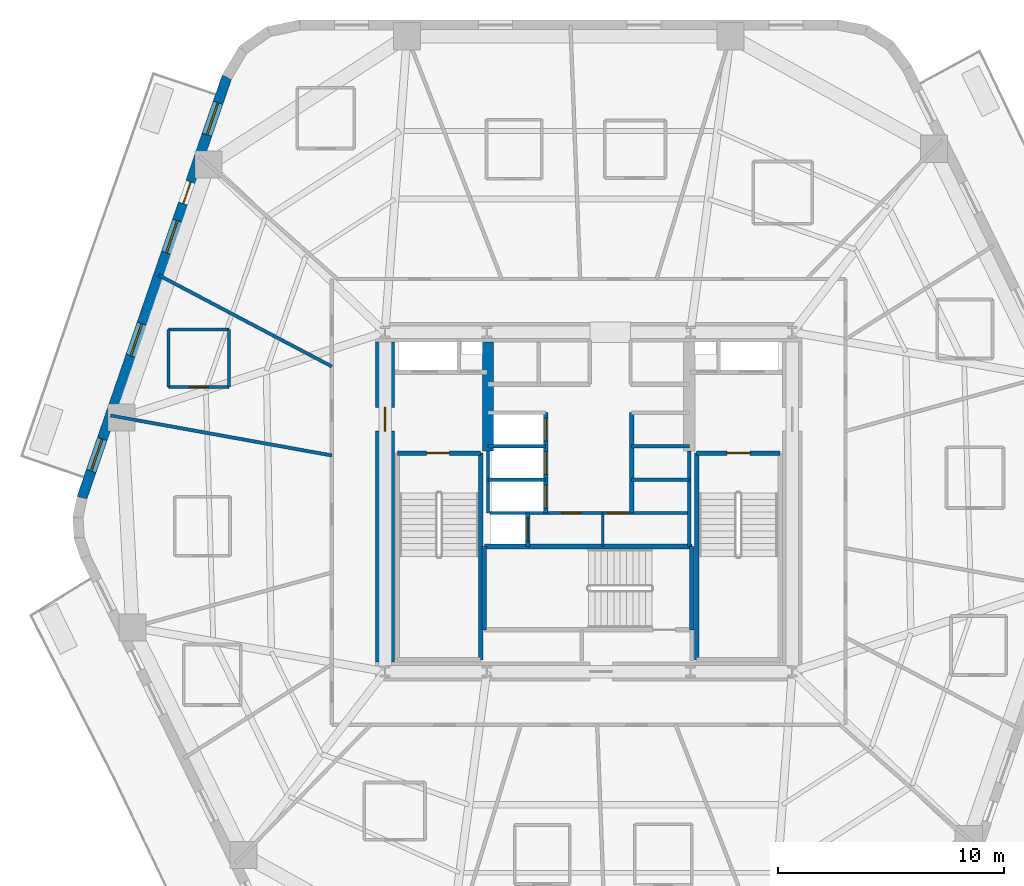
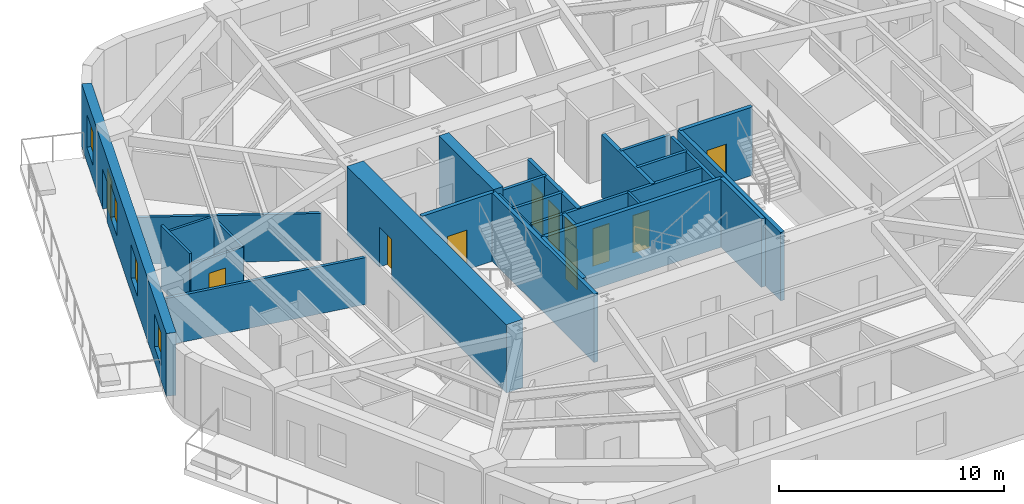
# One storey, part 4 of 10: 27 walls, 11 doors, 4 windows, 15 openings.
"""IFC4 building model written with IfcOpenShell, lengths in metres."""

from ifc_helpers import new_model, si_unit, direction, frame, frame_2d, origin, place, context, subcontext, project, spatial, rectangle, extrude, material, layer, layer_set, type_object, element, fill, save


model = new_model("IFC4")

# Units and contexts
model_context = context("Model", 3, precision=1e-05, world=origin(), true_north=direction((0.0, 1.0)))
body_context = subcontext(model_context, "Body", "Model", "MODEL_VIEW")
ifc_project = project(units=[si_unit("LENGTHUNIT", "METRE"), si_unit("AREAUNIT", "SQUARE_METRE"), si_unit("VOLUMEUNIT", "CUBIC_METRE"), si_unit("PLANEANGLEUNIT", "RADIAN"), si_unit("MASSUNIT", "GRAM", prefix="KILO")], contexts=[model_context])

# Site, building, storey
site_placement = place(None, origin())
site = spatial("IfcSite", under=ifc_project, at=site_placement, CompositionType="ELEMENT")
building_placement = place(site_placement, origin())
building = spatial("IfcBuilding", under=site, at=building_placement, Name="Kilnhurst Terrace Hotel", CompositionType="ELEMENT")
storey_placement = place(building_placement, frame((0.0, 0.0, 113.60009765625)))
storey = spatial("IfcBuildingStorey", under=building, at=storey_placement, Name="L27", CompositionType="ELEMENT", Elevation=113.60009765625)

# Wall, openings, door, windows
ifc_material_1 = material(Name="Precast concrete C40/50", Category="concrete")
ifc_layer_1 = layer(ifc_material_1, 0.449951171875, Name="Precast concrete C40/50")
ifc_layer_set_1 = layer_set([ifc_layer_1], Name="Precast concrete C40/50")
wall_type_1 = type_object("IfcWallType", Name="WL-BRK-450", PredefinedType="SOLIDWALL", material=ifc_layer_set_1)
wall_1_placement = place(storey_placement, frame((-15.992431640625, 18.77685546875, 0.0), z_axis=(0.0, 0.0, 1.0), x_axis=(-0.325606988926, -0.945505202927, 0.0)))
wall_1 = element("IfcWall", 1, at=wall_1_placement, inside=storey, type_object=wall_type_1, Name="L27 Exterior Brick Facade Wall F5", PredefinedType="SOLIDWALL", context=body_context, shape_type="SweptSolid", body=[
    extrude(rectangle(XDim=19.66943359375, YDim=0.449951171875, at=frame_2d((9.834716796875, 0.0))), origin(), (0.0, 0.0, 1.0), 3.39990234375),
])
opening_1_placement = place(wall_1_placement, frame((4.908935546875, 0.0, 0.0)))
opening_1 = element("IfcOpeningElement", 2, at=opening_1_placement, cuts=wall_1, Name="Opening BD-1000", PredefinedType="OPENING", context=body_context, shape_type="SweptSolid", body=[
    extrude(rectangle(XDim=1.0, YDim=2.14990234375, at=frame_2d((0.5, 1.074951171875))), frame((0.0, 0.23486328125, 0.0), z_axis=(0.0, -1.0, 0.0), x_axis=(1.0, 0.0, 0.0)), (0.0, 0.0, 1.0), 0.469970703125),
])
opening_2_placement = place(wall_1_placement, frame((1.197021484375, 0.0, 0.800048828125)))
opening_2 = element("IfcOpeningElement", 3, at=opening_2_placement, cuts=wall_1, Name="Opening W-02", PredefinedType="OPENING", context=body_context, shape_type="SweptSolid", body=[
    extrude(rectangle(XDim=1.5, YDim=1.800048828125, at=frame_2d((0.75, 0.89990234375))), frame((0.0, 0.23486328125, 0.0), z_axis=(0.0, -1.0, 0.0), x_axis=(1.0, 0.0, 0.0)), (0.0, 0.0, 1.0), 0.469970703125),
])
opening_3_placement = place(wall_1_placement, frame((6.714111328125, 0.0, 0.800048828125)))
opening_3 = element("IfcOpeningElement", 4, at=opening_3_placement, cuts=wall_1, Name="Opening W-02", PredefinedType="OPENING", context=body_context, shape_type="SweptSolid", body=[
    extrude(rectangle(XDim=1.5, YDim=1.800048828125, at=frame_2d((0.75, 0.89990234375))), frame((0.0, 0.23486328125, 0.0), z_axis=(0.0, -1.0, 0.0), x_axis=(1.0, 0.0, 0.0)), (0.0, 0.0, 1.0), 0.469970703125),
])
opening_4_placement = place(wall_1_placement, frame((11.530029296875, 0.0, 0.800048828125)))
opening_4 = element("IfcOpeningElement", 5, at=opening_4_placement, cuts=wall_1, Name="Opening W-02", PredefinedType="OPENING", context=body_context, shape_type="SweptSolid", body=[
    extrude(rectangle(XDim=1.5, YDim=1.800048828125, at=frame_2d((0.75, 0.89990234375))), frame((0.0, 0.23486328125, 0.0), z_axis=(0.0, -1.0, 0.0), x_axis=(1.0, 0.0, 0.0)), (0.0, 0.0, 1.0), 0.469970703125),
])
opening_5_placement = place(wall_1_placement, frame((16.91796875, 0.0, 0.800048828125)))
opening_5 = element("IfcOpeningElement", 6, at=opening_5_placement, cuts=wall_1, Name="Opening W-02", PredefinedType="OPENING", context=body_context, shape_type="SweptSolid", body=[
    extrude(rectangle(XDim=1.5, YDim=1.800048828125, at=frame_2d((0.75, 0.89990234375))), frame((0.0, 0.23486328125, 0.0), z_axis=(0.0, -1.0, 0.0), x_axis=(1.0, 0.0, 0.0)), (0.0, 0.0, 1.0), 0.469970703125),
])
ifc_material_2 = material(Name="Thermally Broken Bronze Aluminium Alloy 6063-T6 and Laminated Glass", Category="aluminium")
door_type_1 = type_object("IfcDoorType", Name="DR-EXT-BAL-1000", OperationType="NOTDEFINED", PredefinedType="DOOR", material=ifc_material_2)
door_1_placement = place(opening_1_placement, origin())
door_1 = element("IfcDoor", 7, at=door_1_placement, inside=storey, type_object=door_type_1, Name="L27 Planted Balcony Door BAL-L2A", OperationType="SINGLE_SWING_LEFT", OverallHeight=2.14990234375, OverallWidth=1.0, PredefinedType="DOOR", context=body_context, shape_type="SweptSolid", body=[
    extrude(rectangle(XDim=1.0, YDim=2.14990234375, at=frame_2d((0.5, 1.074951171875))), frame((0.0, 0.02490234375, 0.0), z_axis=(0.0, -1.0, 0.0), x_axis=(1.0, 0.0, 0.0)), (0.0, 0.0, 1.0), 0.050048828125),
])
fill(opening_1, door_1)
ifc_material_3 = material(Name="Thermally Broken Bronze Aluminium Alloy 6063-T6 and Low-E Glass", Category="aluminium")
window_type = type_object("IfcWindowType", Name="WIN-1500X1800", PartitioningType="SINGLE_PANEL", PredefinedType="WINDOW", material=ifc_material_3)
window_1_placement = place(opening_2_placement, origin())
window_1 = element("IfcWindow", 8, at=window_1_placement, inside=storey, type_object=window_type, Name="L27 Deep-Set Masonry Window F5.1", OverallHeight=1.800048828125, OverallWidth=1.5, PartitioningType="SINGLE_PANEL", PredefinedType="WINDOW", context=body_context, shape_type="SweptSolid", body=[
    extrude(rectangle(XDim=1.5, YDim=1.800048828125, at=frame_2d((0.75, 0.89990234375))), frame((0.0, 0.030029296875, 0.0), z_axis=(0.0, -1.0, 0.0), x_axis=(1.0, 0.0, 0.0)), (0.0, 0.0, 1.0), 0.06005859375),
])
fill(opening_2, window_1)
window_2_placement = place(opening_3_placement, origin())
window_2 = element("IfcWindow", 9, at=window_2_placement, inside=storey, type_object=window_type, Name="L27 Deep-Set Masonry Window F5.2", OverallHeight=1.800048828125, OverallWidth=1.5, PartitioningType="SINGLE_PANEL", PredefinedType="WINDOW", context=body_context, shape_type="SweptSolid", body=[
    extrude(rectangle(XDim=1.5, YDim=1.800048828125, at=frame_2d((0.75, 0.89990234375))), frame((0.0, 0.030029296875, 0.0), z_axis=(0.0, -1.0, 0.0), x_axis=(1.0, 0.0, 0.0)), (0.0, 0.0, 1.0), 0.06005859375),
])
fill(opening_3, window_2)
window_3_placement = place(opening_4_placement, origin())
window_3 = element("IfcWindow", 10, at=window_3_placement, inside=storey, type_object=window_type, Name="L27 Deep-Set Masonry Window F5.3", OverallHeight=1.800048828125, OverallWidth=1.5, PartitioningType="SINGLE_PANEL", PredefinedType="WINDOW", context=body_context, shape_type="SweptSolid", body=[
    extrude(rectangle(XDim=1.5, YDim=1.800048828125, at=frame_2d((0.75, 0.89990234375))), frame((0.0, 0.030029296875, 0.0), z_axis=(0.0, -1.0, 0.0), x_axis=(1.0, 0.0, 0.0)), (0.0, 0.0, 1.0), 0.06005859375),
])
fill(opening_4, window_3)
window_4_placement = place(opening_5_placement, origin())
window_4 = element("IfcWindow", 11, at=window_4_placement, inside=storey, type_object=window_type, Name="L27 Deep-Set Masonry Window F5.4", OverallHeight=1.800048828125, OverallWidth=1.5, PartitioningType="SINGLE_PANEL", PredefinedType="WINDOW", context=body_context, shape_type="SweptSolid", body=[
    extrude(rectangle(XDim=1.5, YDim=1.800048828125, at=frame_2d((0.75, 0.89990234375))), frame((0.0, 0.030029296875, 0.0), z_axis=(0.0, -1.0, 0.0), x_axis=(1.0, 0.0, 0.0)), (0.0, 0.0, 1.0), 0.06005859375),
])
fill(opening_5, window_4)

# Wall, opening, door
ifc_material_4 = material(Name="Concrete C80/95", Category="concrete")
ifc_layer_2 = layer(ifc_material_4, 0.85009765625, Name="Concrete C80/95")
ifc_layer_set_2 = layer_set([ifc_layer_2], Name="Concrete C80/95")
wall_type_2 = type_object("IfcWallType", Name="WL-CORE-850", PredefinedType="SHEAR", material=ifc_layer_set_2)
wall_2_placement = place(storey_placement, frame((-9.0, -7.074951171875, 0.0), z_axis=(0.0, 0.0, 1.0), x_axis=(0.0, 1.0, 0.0)))
wall_2 = element("IfcWall", 12, at=wall_2_placement, inside=storey, type_object=wall_type_2, Name="L27 Core West Shear Wall", PredefinedType="SHEAR", context=body_context, shape_type="SweptSolid", body=[
    extrude(rectangle(XDim=14.14990234375, YDim=0.85009765625, at=frame_2d((7.074951171875, 0.0))), origin(), (0.0, 0.0, 1.0), 3.699951171875),
])
opening_6_placement = place(wall_2_placement, frame((10.199951171875, 0.0, 0.0)))
opening_6 = element("IfcOpeningElement", 13, at=opening_6_placement, cuts=wall_2, Name="Opening D-90A", PredefinedType="OPENING", context=body_context, shape_type="SweptSolid", body=[
    extrude(rectangle(XDim=1.050048828125, YDim=2.14990234375, at=frame_2d((0.52490234375, 1.074951171875))), frame((0.0, 0.43505859375, 0.0), z_axis=(0.0, -1.0, 0.0), x_axis=(1.0, 0.0, 0.0)), (0.0, 0.0, 1.0), 0.8701171875),
])
ifc_material_5 = material(Name="Painted Hollow Metal Steel ASTM A36 Fire Door", Category="steel")
door_type_2 = type_object("IfcDoorType", Name="DR-FD90-1050", OperationType="NOTDEFINED", PredefinedType="DOOR", material=ifc_material_5)
door_2_placement = place(opening_6_placement, origin())
door_2 = element("IfcDoor", 14, at=door_2_placement, inside=storey, type_object=door_type_2, Name="L27 West Firefighting Lobby Door", OperationType="SINGLE_SWING_RIGHT", OverallHeight=2.14990234375, OverallWidth=1.050048828125, PredefinedType="DOOR", context=body_context, shape_type="SweptSolid", body=[
    extrude(rectangle(XDim=1.050048828125, YDim=2.14990234375, at=frame_2d((0.52490234375, 1.074951171875))), frame((0.0, 0.02490234375, 0.0), z_axis=(0.0, -1.0, 0.0), x_axis=(1.0, 0.0, 0.0)), (0.0, 0.0, 1.0), 0.050048828125),
])
fill(opening_6, door_2)

# Walls
ifc_material_6 = material(Name="Concrete C60/75", Category="concrete")
ifc_layer_3 = layer(ifc_material_6, 0.5, Name="Concrete C60/75")
ifc_layer_set_3 = layer_set([ifc_layer_3], Name="Concrete C60/75")
wall_type_3 = type_object("IfcWallType", Name="WL-CORE-WEB-500", PredefinedType="SHEAR", material=ifc_layer_set_3)
wall_3_placement = place(storey_placement, frame((-4.449951171875, 2.25, 0.0), z_axis=(0.0, 0.0, 1.0), x_axis=(0.0, 1.0, 0.0)))
element("IfcWall", 15, at=wall_3_placement, inside=storey, type_object=wall_type_3, Name="L27 Core Internal West Shear Web", PredefinedType="SHEAR", context=body_context, shape_type="SweptSolid", body=[
    extrude(rectangle(XDim=4.824951171875, YDim=0.5, at=frame_2d((2.41259765625, 0.0))), origin(), (0.0, 0.0, 1.0), 3.699951171875),
])
ifc_material_7 = material(Name="STC-58 Acoustic Twin-Frame Guestroom Demising Partition")
ifc_layer_4 = layer(ifc_material_7, 0.14990234375, Name="STC-58 Acoustic Twin-Frame Guestroom Demising Partition")
ifc_layer_set_4 = layer_set([ifc_layer_4], Name="STC-58 Acoustic Twin-Frame Guestroom Demising Partition")
wall_type_4 = type_object("IfcWallType", Name="WL-DEM-150", PredefinedType="PARTITIONING", material=ifc_layer_set_4)
wall_4_placement = place(storey_placement, frame((-11.35009765625, 5.9833984375, 0.0), z_axis=(0.0, 0.0, 1.0), x_axis=(-0.884597447182, 0.466355397137, 0.0)))
element("IfcWall", 16, at=wall_4_placement, inside=storey, type_object=wall_type_4, Name="L27 Interior Wall WL-L27-DEM-MID05-08-1", PredefinedType="PARTITIONING", context=body_context, shape_type="SweptSolid", body=[
    extrude(rectangle(XDim=8.65673828125, YDim=0.14990234375, at=frame_2d((4.328369140625, 0.0))), origin(), (0.0, 0.0, 1.0), 2.539794921875),
])
wall_5_placement = place(storey_placement, frame((-11.35009765625, 2.05078125, 0.0), z_axis=(0.0, 0.0, 1.0), x_axis=(-0.984068313063, 0.177790762484, 0.0)))
element("IfcWall", 17, at=wall_5_placement, inside=storey, type_object=wall_type_4, Name="L27 Interior Wall WL-L27-DEM-COL06-09-1", PredefinedType="PARTITIONING", context=body_context, shape_type="SweptSolid", body=[
    extrude(rectangle(XDim=9.951416015625, YDim=0.14990234375, at=frame_2d((4.9755859375, 0.0))), origin(), (0.0, 0.0, 1.0), 2.539794921875),
])
ifc_material_8 = material(Name="120 mm Moisture-Resistant Tile-Backed Bathroom Partition")
ifc_layer_5 = layer(ifc_material_8, 0.1201171875, Name="120 mm Moisture-Resistant Tile-Backed Bathroom Partition")
ifc_layer_set_5 = layer_set([ifc_layer_5], Name="120 mm Moisture-Resistant Tile-Backed Bathroom Partition")
wall_type_5 = type_object("IfcWallType", Name="WL-PART-120", PredefinedType="PARTITIONING", material=ifc_layer_set_5)
wall_6_placement = place(storey_placement, frame((0.6201171875, -1.971923828125, 0.0), z_axis=(0.0, 0.0, 1.0), x_axis=(0.0, 1.0, 0.0)))
element("IfcWall", 18, at=wall_6_placement, inside=storey, type_object=wall_type_5, Name="L27 Interior Wall WL-L27-BOH-C1", PredefinedType="PARTITIONING", context=body_context, shape_type="SweptSolid", body=[
    extrude(rectangle(XDim=1.471923828125, YDim=0.1201171875, at=frame_2d((0.73583984375, 0.0))), origin(), (0.0, 0.0, 1.0), 3.39990234375),
])

# Wall, opening, door
wall_7_placement = place(storey_placement, frame((-18.574951171875, 5.0810546875, 0.0), z_axis=(0.0, 0.0, 1.0), x_axis=(1.0, 0.0, 0.0)))
wall_7 = element("IfcWall", 19, at=wall_7_placement, inside=storey, type_object=wall_type_5, Name="L27 Interior Wall WL-L27-BTH-08-1", PredefinedType="PARTITIONING", context=body_context, shape_type="SweptSolid", body=[
    extrude(rectangle(XDim=2.679931640625, YDim=0.1201171875, at=frame_2d((1.33984375, 0.0))), origin(), (0.0, 0.0, 1.0), 2.83984375),
])
opening_7_placement = place(wall_7_placement, frame((0.9150390625, 0.0, 0.0)))
opening_7 = element("IfcOpeningElement", 20, at=opening_7_placement, cuts=wall_7, Name="Opening D-08A", PredefinedType="OPENING", context=body_context, shape_type="SweptSolid", body=[
    extrude(rectangle(XDim=0.85009765625, YDim=2.030029296875, at=frame_2d((0.425048828125, 1.01513671875))), frame((0.0, 0.070068359375, 0.0), z_axis=(0.0, -1.0, 0.0), x_axis=(1.0, 0.0, 0.0)), (0.0, 0.0, 1.0), 0.14013671875),
])
ifc_material_9 = material(Name="Moisture-Resistant Lacquered En-suite Bathroom Door")
door_type_3 = type_object("IfcDoorType", Name="DR-INT-850", OperationType="NOTDEFINED", PredefinedType="DOOR", material=ifc_material_9)
door_3_placement = place(opening_7_placement, origin())
door_3 = element("IfcDoor", 21, at=door_3_placement, inside=storey, type_object=door_type_3, Name="L27 En-suite Bathroom Door 8", OperationType="SINGLE_SWING_LEFT", OverallHeight=2.030029296875, OverallWidth=0.85009765625, PredefinedType="DOOR", context=body_context, shape_type="SweptSolid", body=[
    extrude(rectangle(XDim=0.85009765625, YDim=2.030029296875, at=frame_2d((0.425048828125, 1.01513671875))), frame((0.0, 0.02490234375, 0.0), z_axis=(0.0, -1.0, 0.0), x_axis=(1.0, 0.0, 0.0)), (0.0, 0.0, 1.0), 0.050048828125),
])
fill(opening_7, door_3)

# Walls
wall_8_placement = place(storey_placement, frame((-15.89501953125, 5.0810546875, 0.0), z_axis=(0.0, 0.0, 1.0), x_axis=(0.0, 1.0, 0.0)))
element("IfcWall", 22, at=wall_8_placement, inside=storey, type_object=wall_type_5, Name="L27 Interior Wall WL-L27-BTH-08-2", PredefinedType="PARTITIONING", context=body_context, shape_type="SweptSolid", body=[
    extrude(rectangle(XDim=2.5400390625, YDim=0.1201171875, at=frame_2d((1.27001953125, 0.0))), origin(), (0.0, 0.0, 1.0), 2.83984375),
])
wall_9_placement = place(storey_placement, frame((-15.89501953125, 7.62109375, 0.0), z_axis=(0.0, 0.0, 1.0), x_axis=(-1.0, 0.0, 0.0)))
element("IfcWall", 23, at=wall_9_placement, inside=storey, type_object=wall_type_5, Name="L27 Interior Wall WL-L27-BTH-08-3", PredefinedType="PARTITIONING", context=body_context, shape_type="SweptSolid", body=[
    extrude(rectangle(XDim=2.679931640625, YDim=0.1201171875, at=frame_2d((1.33984375, 0.0))), origin(), (0.0, 0.0, 1.0), 2.97216796875),
])
wall_10_placement = place(storey_placement, frame((-18.574951171875, 7.62109375, 0.0), z_axis=(0.0, 0.0, 1.0), x_axis=(0.0, -1.0, 0.0)))
element("IfcWall", 24, at=wall_10_placement, inside=storey, type_object=wall_type_5, Name="L27 Interior Wall WL-L27-BTH-08-4", PredefinedType="PARTITIONING", context=body_context, shape_type="SweptSolid", body=[
    extrude(rectangle(XDim=2.5400390625, YDim=0.1201171875, at=frame_2d((1.27001953125, 0.0))), origin(), (0.0, 0.0, 1.0), 3.39990234375),
])
ifc_material_10 = material(Name="Fire-Rated Gypsum Shaftliner Assembly")
ifc_layer_6 = layer(ifc_material_10, 0.14990234375, Name="Fire-Rated Gypsum Shaftliner Assembly")
ifc_layer_set_6 = layer_set([ifc_layer_6], Name="Fire-Rated Gypsum Shaftliner Assembly")
wall_type_6 = type_object("IfcWallType", Name="WL-SHAFT-150", PredefinedType="PARTITIONING", material=ifc_layer_set_6)
wall_11_placement = place(storey_placement, frame((-4.449951171875, -0.5, 0.0), z_axis=(0.0, 0.0, 1.0), x_axis=(0.0, 1.0, 0.0)))
element("IfcWall", 25, at=wall_11_placement, inside=storey, type_object=wall_type_6, Name="L27 Interior Wall WL-L27-XLOB-W", PredefinedType="PARTITIONING", context=body_context, shape_type="SweptSolid", body=[
    extrude(rectangle(XDim=2.75, YDim=0.14990234375, at=frame_2d((1.375, 0.0))), origin(), (0.0, 0.0, 1.0), 3.39990234375),
])
wall_12_placement = place(storey_placement, frame((4.449951171875, -1.971923828125, 0.0), z_axis=(0.0, 0.0, 1.0), x_axis=(0.0, 1.0, 0.0)))
element("IfcWall", 26, at=wall_12_placement, inside=storey, type_object=wall_type_6, Name="L27 Interior Wall WL-L27-XLOB-E", PredefinedType="PARTITIONING", context=body_context, shape_type="SweptSolid", body=[
    extrude(rectangle(XDim=4.221923828125, YDim=0.14990234375, at=frame_2d((2.11083984375, 0.0))), origin(), (0.0, 0.0, 1.0), 3.39990234375),
])
for number, where, z_axis, x_axis, name in (
    (27, (-4.449951171875, 0.97998046875, 0.0), (0.0, 0.0, 1.0), (1.0, 0.0, 0.0), "L27 Interior Wall WL-L27-LR-D1"),
    (28, (-4.449951171875, 2.4599609375, 0.0), (0.0, 0.0, 1.0), (1.0, 0.0, 0.0), "L27 Interior Wall WL-L27-LR-D2"),
    (29, (1.89990234375, 0.97998046875, 0.0), (0.0, 0.0, 1.0), (1.0, 0.0, 0.0), "L27 Interior Wall WL-L27-MR-D1"),
    (30, (1.89990234375, 2.4599609375, 0.0), (0.0, 0.0, 1.0), (1.0, 0.0, 0.0), "L27 Interior Wall WL-L27-MR-D2"),
):
    element("IfcWall", number, at=place(storey_placement, frame(where, z_axis=z_axis, x_axis=x_axis)), inside=storey, type_object=wall_type_6, Name=name, PredefinedType="PARTITIONING", context=body_context, shape_type="SweptSolid", body=[
        extrude(rectangle(XDim=2.550048828125, YDim=0.14990234375, at=frame_2d((1.27490234375, 0.0))), origin(), (0.0, 0.0, 1.0), 3.39990234375),
    ])

# Wall, openings, doors
wall_13_placement = place(storey_placement, frame((-4.360107421875, -0.489990234375, 0.0), z_axis=(0.0, 0.0, 1.0), x_axis=(1.0, 0.0, 0.0)))
wall_13 = element("IfcWall", 31, at=wall_13_placement, inside=storey, type_object=wall_type_6, Name="L27 Interior Wall WL-L27-BOH-N", PredefinedType="PARTITIONING", context=body_context, shape_type="SweptSolid", body=[
    extrude(rectangle(XDim=8.72021484375, YDim=0.14990234375, at=frame_2d((4.360107421875, 0.0))), origin(), (0.0, 0.0, 1.0), 3.39990234375),
])
opening_8_placement = place(wall_13_placement, frame((3.159912109375, 0.0, 0.0)))
opening_8 = element("IfcOpeningElement", 32, at=opening_8_placement, cuts=wall_13, Name="Opening D-60D", PredefinedType="OPENING", context=body_context, shape_type="SweptSolid", body=[
    extrude(rectangle(XDim=0.85009765625, YDim=2.030029296875, at=frame_2d((0.425048828125, 1.01513671875))), frame((0.0, 0.0849609375, 0.0), z_axis=(0.0, -1.0, 0.0), x_axis=(1.0, 0.0, 0.0)), (0.0, 0.0, 1.0), 0.169921875),
])
opening_9_placement = place(wall_13_placement, frame((5.2099609375, 0.0, 0.0)))
opening_9 = element("IfcOpeningElement", 33, at=opening_9_placement, cuts=wall_13, Name="Opening D-60D", PredefinedType="OPENING", context=body_context, shape_type="SweptSolid", body=[
    extrude(rectangle(XDim=0.85009765625, YDim=2.030029296875, at=frame_2d((0.425048828125, 1.01513671875))), frame((0.0, 0.0849609375, 0.0), z_axis=(0.0, -1.0, 0.0), x_axis=(1.0, 0.0, 0.0)), (0.0, 0.0, 1.0), 0.169921875),
])
ifc_material_11 = material(Name="Painted Hollow Metal Steel ASTM A36 Riser Door", Category="steel")
door_type_4 = type_object("IfcDoorType", Name="DR-FD60-850", OperationType="NOTDEFINED", PredefinedType="DOOR", material=ifc_material_11)
door_4_placement = place(opening_8_placement, origin())
door_4 = element("IfcDoor", 34, at=door_4_placement, inside=storey, type_object=door_type_4, Name="L27 Housekeeping Laundry Door", OperationType="SINGLE_SWING_LEFT", OverallHeight=2.030029296875, OverallWidth=0.85009765625, PredefinedType="DOOR", context=body_context, shape_type="SweptSolid", body=[
    extrude(rectangle(XDim=0.85009765625, YDim=2.030029296875, at=frame_2d((0.425048828125, 1.01513671875))), frame((0.0, 0.02490234375, 0.0), z_axis=(0.0, -1.0, 0.0), x_axis=(1.0, 0.0, 0.0)), (0.0, 0.0, 1.0), 0.050048828125),
])
fill(opening_8, door_4)
door_5_placement = place(opening_9_placement, origin())
door_5 = element("IfcDoor", 35, at=door_5_placement, inside=storey, type_object=door_type_4, Name="L27 Room Service Kitchen Door", OperationType="SINGLE_SWING_RIGHT", OverallHeight=2.030029296875, OverallWidth=0.85009765625, PredefinedType="DOOR", context=body_context, shape_type="SweptSolid", body=[
    extrude(rectangle(XDim=0.85009765625, YDim=2.030029296875, at=frame_2d((0.425048828125, 1.01513671875))), frame((0.0, 0.02490234375, 0.0), z_axis=(0.0, -1.0, 0.0), x_axis=(1.0, 0.0, 0.0)), (0.0, 0.0, 1.0), 0.050048828125),
])
fill(opening_9, door_5)

# Wall, opening, door
ifc_material_12 = material(Name="Autoclaved Aerated Concrete C30/37 and Gypsum Shaft Assembly", Category="concrete")
ifc_layer_7 = layer(ifc_material_12, 0.199951171875, Name="Autoclaved Aerated Concrete C30/37 and Gypsum Shaft Assembly")
ifc_layer_set_7 = layer_set([ifc_layer_7], Name="Autoclaved Aerated Concrete C30/37 and Gypsum Shaft Assembly")
wall_type_7 = type_object("IfcWallType", Name="WL-SHAFT-200", PredefinedType="PARTITIONING", material=ifc_layer_set_7)
wall_14_placement = place(storey_placement, frame((-2.699951171875, -1.971923828125, 0.0), z_axis=(0.0, 0.0, 1.0), x_axis=(0.0, 1.0, 0.0)))
wall_14 = element("IfcWall", 36, at=wall_14_placement, inside=storey, type_object=wall_type_7, Name="L27 Interior Wall WL-L27-SRV1-E", PredefinedType="PARTITIONING", context=body_context, shape_type="SweptSolid", body=[
    extrude(rectangle(XDim=1.471923828125, YDim=0.199951171875, at=frame_2d((0.73583984375, 0.0))), origin(), (0.0, 0.0, 1.0), 3.39990234375),
])
opening_10_placement = place(wall_14_placement, frame((0.239990234375, 0.0, 0.0)))
opening_10 = element("IfcOpeningElement", 37, at=opening_10_placement, cuts=wall_14, Name="Opening LD-SV", PredefinedType="OPENING", context=body_context, shape_type="SweptSolid", body=[
    extrude(rectangle(XDim=1.0, YDim=2.199951171875, at=frame_2d((0.5, 1.10009765625))), frame((0.0, 0.10986328125, 0.0), z_axis=(0.0, -1.0, 0.0), x_axis=(1.0, 0.0, 0.0)), (0.0, 0.0, 1.0), 0.219970703125),
])
ifc_material_13 = material(Name="Bronze-Anodized Stainless Steel AISI 316L Sliding Door", Category="steel")
door_type_5 = type_object("IfcDoorType", Name="DR-LIFT-1000", OperationType="NOTDEFINED", PredefinedType="DOOR", material=ifc_material_13)
door_6_placement = place(opening_10_placement, origin())
door_6 = element("IfcDoor", 38, at=door_6_placement, inside=storey, type_object=door_type_5, Name="L27 Service Lift SRV-1 Landing Door", OperationType="SLIDING_TO_LEFT", OverallHeight=2.199951171875, OverallWidth=1.0, PredefinedType="DOOR", context=body_context, shape_type="SweptSolid", body=[
    extrude(rectangle(XDim=1.0, YDim=2.199951171875, at=frame_2d((0.5, 1.10009765625))), frame((0.0, 0.02490234375, 0.0), z_axis=(0.0, -1.0, 0.0), x_axis=(1.0, 0.0, 0.0)), (0.0, 0.0, 1.0), 0.050048828125),
])
fill(opening_10, door_6)

# Wall, openings, doors
wall_15_placement = place(storey_placement, frame((-1.89990234375, -0.5, 0.0), z_axis=(0.0, 0.0, 1.0), x_axis=(0.0, 1.0, 0.0)))
wall_15 = element("IfcWall", 39, at=wall_15_placement, inside=storey, type_object=wall_type_7, Name="L27 Interior Wall WL-L27-LR-FRONT", PredefinedType="PARTITIONING", context=body_context, shape_type="SweptSolid", body=[
    extrude(rectangle(XDim=4.43994140625, YDim=0.199951171875, at=frame_2d((2.219970703125, 0.0))), origin(), (0.0, 0.0, 1.0), 3.39990234375),
])
opening_11_placement = place(wall_15_placement, frame((0.239990234375, 0.0, 0.0)))
opening_11 = element("IfcOpeningElement", 40, at=opening_11_placement, cuts=wall_15, Name="Opening LD-LR", PredefinedType="OPENING", context=body_context, shape_type="SweptSolid", body=[
    extrude(rectangle(XDim=1.0, YDim=2.199951171875, at=frame_2d((0.5, 1.10009765625))), frame((0.0, 0.10986328125, 0.0), z_axis=(0.0, -1.0, 0.0), x_axis=(1.0, 0.0, 0.0)), (0.0, 0.0, 1.0), 0.219970703125),
])
opening_12_placement = place(wall_15_placement, frame((1.719970703125, 0.0, 0.0)))
opening_12 = element("IfcOpeningElement", 41, at=opening_12_placement, cuts=wall_15, Name="Opening LD-LR", PredefinedType="OPENING", context=body_context, shape_type="SweptSolid", body=[
    extrude(rectangle(XDim=1.0, YDim=2.199951171875, at=frame_2d((0.5, 1.10009765625))), frame((0.0, 0.10986328125, 0.0), z_axis=(0.0, -1.0, 0.0), x_axis=(1.0, 0.0, 0.0)), (0.0, 0.0, 1.0), 0.219970703125),
])
opening_13_placement = place(wall_15_placement, frame((3.199951171875, 0.0, 0.0)))
opening_13 = element("IfcOpeningElement", 42, at=opening_13_placement, cuts=wall_15, Name="Opening LD-LR", PredefinedType="OPENING", context=body_context, shape_type="SweptSolid", body=[
    extrude(rectangle(XDim=1.0, YDim=2.199951171875, at=frame_2d((0.5, 1.10009765625))), frame((0.0, 0.10986328125, 0.0), z_axis=(0.0, -1.0, 0.0), x_axis=(1.0, 0.0, 0.0)), (0.0, 0.0, 1.0), 0.219970703125),
])
door_7_placement = place(opening_11_placement, origin())
door_7 = element("IfcDoor", 43, at=door_7_placement, inside=storey, type_object=door_type_5, Name="L27 Low Rise Lift LR-1 Landing Door", OperationType="SLIDING_TO_LEFT", OverallHeight=2.199951171875, OverallWidth=1.0, PredefinedType="DOOR", context=body_context, shape_type="SweptSolid", body=[
    extrude(rectangle(XDim=1.0, YDim=2.199951171875, at=frame_2d((0.5, 1.10009765625))), frame((0.0, 0.02490234375, 0.0), z_axis=(0.0, -1.0, 0.0), x_axis=(1.0, 0.0, 0.0)), (0.0, 0.0, 1.0), 0.050048828125),
])
fill(opening_11, door_7)
door_8_placement = place(opening_12_placement, origin())
door_8 = element("IfcDoor", 44, at=door_8_placement, inside=storey, type_object=door_type_5, Name="L27 Low Rise Lift LR-2 Landing Door", OperationType="SLIDING_TO_LEFT", OverallHeight=2.199951171875, OverallWidth=1.0, PredefinedType="DOOR", context=body_context, shape_type="SweptSolid", body=[
    extrude(rectangle(XDim=1.0, YDim=2.199951171875, at=frame_2d((0.5, 1.10009765625))), frame((0.0, 0.02490234375, 0.0), z_axis=(0.0, -1.0, 0.0), x_axis=(1.0, 0.0, 0.0)), (0.0, 0.0, 1.0), 0.050048828125),
])
fill(opening_12, door_8)
door_9_placement = place(opening_13_placement, origin())
door_9 = element("IfcDoor", 45, at=door_9_placement, inside=storey, type_object=door_type_5, Name="L27 Low Rise Lift LR-3 Landing Door", OperationType="SLIDING_TO_LEFT", OverallHeight=2.199951171875, OverallWidth=1.0, PredefinedType="DOOR", context=body_context, shape_type="SweptSolid", body=[
    extrude(rectangle(XDim=1.0, YDim=2.199951171875, at=frame_2d((0.5, 1.10009765625))), frame((0.0, 0.02490234375, 0.0), z_axis=(0.0, -1.0, 0.0), x_axis=(1.0, 0.0, 0.0)), (0.0, 0.0, 1.0), 0.050048828125),
])
fill(opening_13, door_9)

# Walls
wall_16_placement = place(storey_placement, frame((1.89990234375, -0.5, 0.0), z_axis=(0.0, 0.0, 1.0), x_axis=(0.0, 1.0, 0.0)))
element("IfcWall", 46, at=wall_16_placement, inside=storey, type_object=wall_type_7, Name="L27 Interior Wall WL-L27-MR-FRONT", PredefinedType="PARTITIONING", context=body_context, shape_type="SweptSolid", body=[
    extrude(rectangle(XDim=4.43994140625, YDim=0.199951171875, at=frame_2d((2.219970703125, 0.0))), origin(), (0.0, 0.0, 1.0), 3.39990234375),
])
ifc_material_14 = material(Name="Concrete C50/60", Category="concrete")
ifc_layer_8 = layer(ifc_material_14, 0.199951171875, Name="Concrete C50/60")
ifc_layer_set_8 = layer_set([ifc_layer_8], Name="Concrete C50/60")
wall_type_8 = type_object("IfcWallType", Name="WL-STAIR-RC-200", PredefinedType="SHEAR", material=ifc_layer_set_8)
wall_17_placement = place(storey_placement, frame((-4.77197265625, -6.985107421875, 0.0), z_axis=(0.0, 0.0, 1.0), x_axis=(0.0, 1.0, 0.0)))
element("IfcWall", 47, at=wall_17_placement, inside=storey, type_object=wall_type_8, Name="L27 Structural Stair Shaft Wall WL-L27-ST1-E", PredefinedType="SHEAR", context=body_context, shape_type="SweptSolid", body=[
    extrude(rectangle(XDim=9.14306640625, YDim=0.199951171875, at=frame_2d((4.571533203125, 0.0))), origin(), (0.0, 0.0, 1.0), 3.699951171875),
])

# Wall, opening, door
wall_18_placement = place(storey_placement, frame((-8.4580078125, 2.157958984375, 0.0), z_axis=(0.0, 0.0, 1.0), x_axis=(1.0, 0.0, 0.0)))
wall_18 = element("IfcWall", 48, at=wall_18_placement, inside=storey, type_object=wall_type_8, Name="L27 Structural Stair Shaft Wall WL-L27-ST1-N", PredefinedType="SHEAR", context=body_context, shape_type="SweptSolid", body=[
    extrude(rectangle(XDim=3.68603515625, YDim=0.199951171875, at=frame_2d((1.843017578125, 0.0))), origin(), (0.0, 0.0, 1.0), 3.699951171875),
])
opening_14_placement = place(wall_18_placement, frame((1.300048828125, 0.0, 0.0)))
opening_14 = element("IfcOpeningElement", 49, at=opening_14_placement, cuts=wall_18, Name="Opening D-90B", PredefinedType="OPENING", context=body_context, shape_type="SweptSolid", body=[
    extrude(rectangle(XDim=1.0, YDim=2.14990234375, at=frame_2d((0.5, 1.074951171875))), frame((0.0, 0.10986328125, 0.0), z_axis=(0.0, -1.0, 0.0), x_axis=(1.0, 0.0, 0.0)), (0.0, 0.0, 1.0), 0.219970703125),
])
door_type_6 = type_object("IfcDoorType", Name="DR-FD90-1000", OperationType="NOTDEFINED", PredefinedType="DOOR", material=ifc_material_5)
door_10_placement = place(opening_14_placement, origin())
door_10 = element("IfcDoor", 50, at=door_10_placement, inside=storey, type_object=door_type_6, Name="L27 Stair ST-1 Door", OperationType="SINGLE_SWING_LEFT", OverallHeight=2.14990234375, OverallWidth=1.0, PredefinedType="DOOR", context=body_context, shape_type="SweptSolid", body=[
    extrude(rectangle(XDim=1.0, YDim=2.14990234375, at=frame_2d((0.5, 1.074951171875))), frame((0.0, 0.02490234375, 0.0), z_axis=(0.0, -1.0, 0.0), x_axis=(1.0, 0.0, 0.0)), (0.0, 0.0, 1.0), 0.050048828125),
])
fill(opening_14, door_10)

# Wall
wall_19_placement = place(storey_placement, frame((4.77197265625, -6.985107421875, 0.0), z_axis=(0.0, 0.0, 1.0), x_axis=(0.0, 1.0, 0.0)))
element("IfcWall", 51, at=wall_19_placement, inside=storey, type_object=wall_type_8, Name="L27 Structural Stair Shaft Wall WL-L27-ST2-W", PredefinedType="SHEAR", context=body_context, shape_type="SweptSolid", body=[
    extrude(rectangle(XDim=9.14306640625, YDim=0.199951171875, at=frame_2d((4.571533203125, 0.0))), origin(), (0.0, 0.0, 1.0), 3.699951171875),
])

# Wall, opening, door
wall_20_placement = place(storey_placement, frame((4.77197265625, 2.157958984375, 0.0), z_axis=(0.0, 0.0, 1.0), x_axis=(1.0, 0.0, 0.0)))
wall_20 = element("IfcWall", 52, at=wall_20_placement, inside=storey, type_object=wall_type_8, Name="L27 Structural Stair Shaft Wall WL-L27-ST2-N", PredefinedType="SHEAR", context=body_context, shape_type="SweptSolid", body=[
    extrude(rectangle(XDim=3.68603515625, YDim=0.199951171875, at=frame_2d((1.843017578125, 0.0))), origin(), (0.0, 0.0, 1.0), 3.699951171875),
])
opening_15_placement = place(wall_20_placement, frame((1.35009765625, 0.0, 0.0)))
opening_15 = element("IfcOpeningElement", 53, at=opening_15_placement, cuts=wall_20, Name="Opening D-90B", PredefinedType="OPENING", context=body_context, shape_type="SweptSolid", body=[
    extrude(rectangle(XDim=1.0, YDim=2.14990234375, at=frame_2d((0.5, 1.074951171875))), frame((0.0, 0.10986328125, 0.0), z_axis=(0.0, -1.0, 0.0), x_axis=(1.0, 0.0, 0.0)), (0.0, 0.0, 1.0), 0.219970703125),
])
door_11_placement = place(opening_15_placement, origin())
door_11 = element("IfcDoor", 54, at=door_11_placement, inside=storey, type_object=door_type_6, Name="L27 Stair ST-2 Door", OperationType="SINGLE_SWING_RIGHT", OverallHeight=2.14990234375, OverallWidth=1.0, PredefinedType="DOOR", context=body_context, shape_type="SweptSolid", body=[
    extrude(rectangle(XDim=1.0, YDim=2.14990234375, at=frame_2d((0.5, 1.074951171875))), frame((0.0, 0.02490234375, 0.0), z_axis=(0.0, -1.0, 0.0), x_axis=(1.0, 0.0, 0.0)), (0.0, 0.0, 1.0), 0.050048828125),
])
fill(opening_15, door_11)

# Walls
wall_21_placement = place(storey_placement, frame((-4.60791015625, -5.657958984375, 0.0), z_axis=(0.0, 0.0, 1.0), x_axis=(0.0, 1.0, 0.0)))
element("IfcWall", 55, at=wall_21_placement, inside=storey, type_object=wall_type_8, Name="L27 Structural Stair Shaft Wall WL-L27-ST3-W", PredefinedType="SHEAR", context=body_context, shape_type="SweptSolid", body=[
    extrude(rectangle(XDim=3.68603515625, YDim=0.199951171875, at=frame_2d((1.843017578125, 0.0))), origin(), (0.0, 0.0, 1.0), 3.699951171875),
])
wall_22_placement = place(storey_placement, frame((-4.60791015625, -1.971923828125, 0.0), z_axis=(0.0, 0.0, 1.0), x_axis=(1.0, 0.0, 0.0)))
element("IfcWall", 56, at=wall_22_placement, inside=storey, type_object=wall_type_8, Name="L27 Structural Stair Shaft Wall WL-L27-ST3-N", PredefinedType="SHEAR", context=body_context, shape_type="SweptSolid", body=[
    extrude(rectangle(XDim=9.166015625, YDim=0.199951171875, at=frame_2d((4.5830078125, 0.0))), origin(), (0.0, 0.0, 1.0), 3.699951171875),
])
wall_23_placement = place(storey_placement, frame((4.55810546875, -5.657958984375, 0.0), z_axis=(0.0, 0.0, 1.0), x_axis=(0.0, 1.0, 0.0)))
element("IfcWall", 57, at=wall_23_placement, inside=storey, type_object=wall_type_8, Name="L27 Structural Stair Shaft Wall WL-L27-ST3-E", PredefinedType="SHEAR", context=body_context, shape_type="SweptSolid", body=[
    extrude(rectangle(XDim=3.68603515625, YDim=0.199951171875, at=frame_2d((1.843017578125, 0.0))), origin(), (0.0, 0.0, 1.0), 3.699951171875),
])

save(model, "model.ifc")
